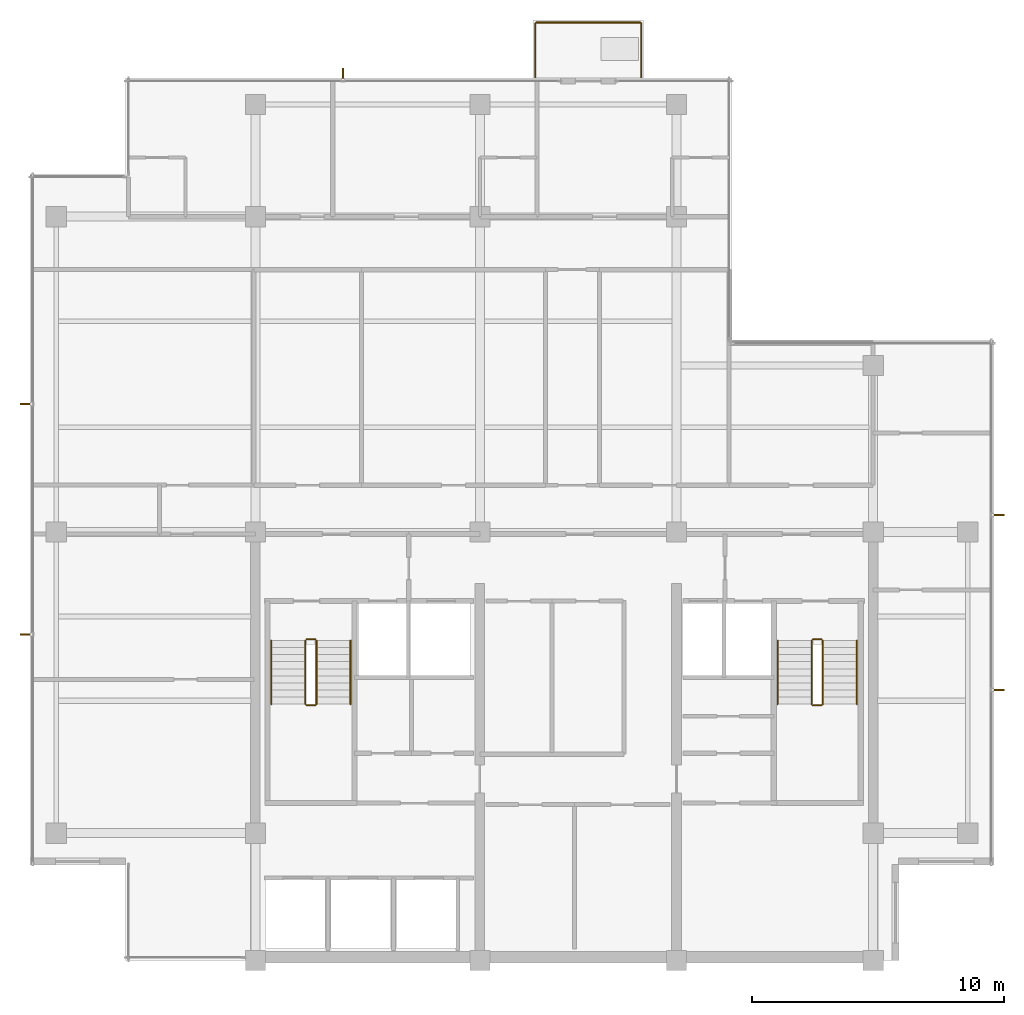
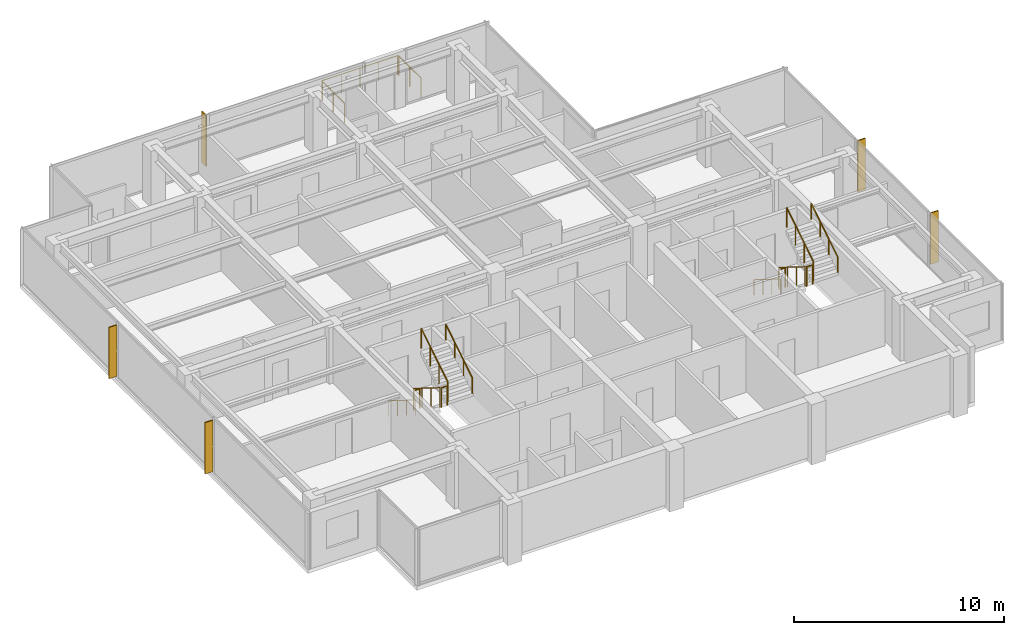
# One storey, part 11 of 11: 15 railings, 5 shading devices.
"""IFC4 building model written with IfcOpenShell, lengths in metres."""

import ifcopenshell
import ifcopenshell.guid

model = None  # the IFC model being written
_history = None  # IfcOwnerHistory: only IFC2X3 demands one
_inside = {}  # id of a spatial element -> (the spatial element, [elements in it])
_under = {}  # id of a project, library or spatial element -> (it, [spatial elements below it])
_declared = {}  # id of a project -> (the project, [libraries it declares])
_typed = {}  # id of a type object -> (the type object, [elements of that type])
_made_of = {}  # id of a material, layer set ... -> (it, [elements and type objects made of it])


def new_model(schema):
    """Start an empty IFC model of exactly this schema.

    Asked for "IFC4X3", IfcOpenShell would pick the latest addendum, in which some entities
    have other attributes; the version numbers below select the first issue.
    IFC2X3 requires an IfcOwnerHistory on every rooted entity: one is made here for all.
    """
    global model, _history
    if schema == "IFC4X3":
        model = ifcopenshell.file(schema_version=(4, 3, 0, 0))
    else:
        model = ifcopenshell.file(schema=schema)
    _inside.clear()
    _under.clear()
    _declared.clear()
    _typed.clear()
    _made_of.clear()
    _history = None
    if model.schema == "IFC2X3":
        org = make("IfcOrganization", Name="unknown")
        user = make(
            "IfcPersonAndOrganization",
            ThePerson=make("IfcPerson", FamilyName="unknown"),
            TheOrganization=org,
        )
        app = make(
            "IfcApplication",
            ApplicationDeveloper=org,
            Version="unknown",
            ApplicationFullName="unknown",
            ApplicationIdentifier="unknown",
        )
        _history = make(
            "IfcOwnerHistory",
            OwningUser=user,
            OwningApplication=app,
            ChangeAction="ADDED",
            CreationDate=0,
        )
    return model


def make(cls, **values):
    """One entity of the class cls with the attributes given. An attribute that is None is left unset."""
    return model.create_entity(
        cls, **{name: value for name, value in values.items() if value is not None}
    )


def rooted(cls, **values):
    """An entity with a GlobalId (a new one), such as an element, a storey or a relation."""
    return make(cls, GlobalId=ifcopenshell.guid.new(), OwnerHistory=_history, **values)


def si_unit(unit_type, name, prefix=None):
    """IfcSIUnit, for example si_unit("LENGTHUNIT", "METRE", prefix="MILLI")."""
    return make("IfcSIUnit", UnitType=unit_type, Prefix=prefix, Name=name)


def assignment(units):
    """IfcUnitAssignment: the units of a project."""
    return None if units is None else make("IfcUnitAssignment", Units=units)


def point(xyz):
    """IfcCartesianPoint."""
    return None if xyz is None else make("IfcCartesianPoint", Coordinates=xyz)


def direction(xyz):
    """IfcDirection."""
    return None if xyz is None else make("IfcDirection", DirectionRatios=xyz)


def frame(location, z_axis=None, x_axis=None):
    """IfcAxis2Placement3D, a coordinate frame: its origin and axes. An axis left out is left unset."""
    return make(
        "IfcAxis2Placement3D",
        Location=point(location),
        Axis=direction(z_axis),
        RefDirection=direction(x_axis),
    )


def frame_2d(location, x_axis=None):
    """IfcAxis2Placement2D, a coordinate frame in the plane: its origin and x axis."""
    return make(
        "IfcAxis2Placement2D", Location=point(location), RefDirection=direction(x_axis)
    )


def origin():
    """The frame at (0, 0, 0) with its axes left unset."""
    return frame((0.0, 0.0, 0.0))


def origin_2d():
    """The frame at (0, 0) in the plane with its x axis left unset."""
    return frame_2d((0.0, 0.0))


def place(relative_to, where):
    """IfcLocalPlacement: puts the frame where relative to a parent placement (None: the world)."""
    return make(
        "IfcLocalPlacement", PlacementRelTo=relative_to, RelativePlacement=where
    )


def context(
    kind, dimensions, precision=None, world=None, true_north=None, identifier=None
):
    """IfcGeometricRepresentationContext, for example the 3D "Model" context."""
    return make(
        "IfcGeometricRepresentationContext",
        ContextIdentifier=identifier,
        ContextType=kind,
        CoordinateSpaceDimension=dimensions,
        Precision=precision,
        WorldCoordinateSystem=world,
        TrueNorth=true_north,
    )


def subcontext(parent, identifier, kind, view, scale=None):
    """IfcGeometricRepresentationSubContext, for example "Body" below "Model"."""
    return make(
        "IfcGeometricRepresentationSubContext",
        ContextIdentifier=identifier,
        ContextType=kind,
        ParentContext=parent,
        TargetScale=scale,
        TargetView=view,
    )


def project(units=None, contexts=None):
    """IfcProject with its units and contexts."""
    return rooted(
        "IfcProject",
        Name="project",
        RepresentationContexts=contexts,
        UnitsInContext=assignment(units),
    )


def spatial(cls, under=None, at=None, **own):
    """A site, building, storey or space (cls), placed at a placement, below another one or the project."""
    s = rooted(cls, ObjectPlacement=at, **own)
    if under is not None:
        _under.setdefault(under.id(), (under, []))[1].append(s)
    return s


def polyline(points):
    """IfcPolyline through the points."""
    return make("IfcPolyline", Points=[point(p) for p in points])


def profile(cls, at=None, kind="AREA", **sizes):
    """A parametric profile (cls). Its sizes go by their IFC names, for example OverallWidth=200.0."""
    return make(cls, ProfileType=kind, Position=at, **sizes)


def circle(**sizes):
    """IfcCircleProfileDef."""
    return profile("IfcCircleProfileDef", **sizes)


def outline(outer, holes=None, kind="AREA"):
    """IfcArbitraryClosedProfileDef: a profile drawn as a closed curve; with holes, ...WithVoids."""
    if holes is None:
        return make("IfcArbitraryClosedProfileDef", ProfileType=kind, OuterCurve=outer)
    return make(
        "IfcArbitraryProfileDefWithVoids",
        ProfileType=kind,
        OuterCurve=outer,
        InnerCurves=holes,
    )


def extrude(swept, where, along, depth):
    """IfcExtrudedAreaSolid: the profile swept, set in the frame where, extruded along a direction by depth."""
    return make(
        "IfcExtrudedAreaSolid",
        SweptArea=swept,
        Position=where,
        ExtrudedDirection=direction(along),
        Depth=depth,
    )


def shape(context_of_items, identifier, shape_type, items):
    """IfcShapeRepresentation: the items that make up one representation, for example the "Body"."""
    return make(
        "IfcShapeRepresentation",
        ContextOfItems=context_of_items,
        RepresentationIdentifier=identifier,
        RepresentationType=shape_type,
        Items=items,
    )


def material(Name=None, Category=None):
    """IfcMaterial."""
    return make("IfcMaterial", Name=Name, Category=Category)


def layer(
    of_material, thickness, ventilated=None, Name=None, Category=None, Priority=None
):
    """IfcMaterialLayer: one layer of a wall or slab, of a material (None: an air gap)."""
    return make(
        "IfcMaterialLayer",
        Material=of_material,
        LayerThickness=thickness,
        IsVentilated=ventilated,
        Name=Name,
        Category=Category,
        Priority=Priority,
    )


def layer_set(layers, Name=None):
    """IfcMaterialLayerSet."""
    return make("IfcMaterialLayerSet", MaterialLayers=layers, LayerSetName=Name)


def made_of(thing, what):
    """Note that an element or type object is made of a material, layer set ...; save() writes the relation."""
    if what is not None:
        _made_of.setdefault(what.id(), (what, []))[1].append(thing)
    return thing


def type_object(cls, material=None, **own):
    """A type object (cls), such as IfcWallType, which elements share."""
    return made_of(rooted(cls, **own), material)


def element(
    cls,
    number,
    at=None,
    inside=None,
    cuts=None,
    type_object=None,
    material=None,
    context=None,
    identifier="Body",
    shape_type=None,
    held_by="IfcProductDefinitionShape",
    body=None,
    shapes=None,
    **own,
):
    """One element of the class cls, such as IfcWall. Its Tag is "e" and its number.

    at: its placement. inside: the storey or other place that contains it. cuts: it is an
    opening in that element (IfcRelVoidsElement). A single representation is given by context,
    identifier, shape_type and body (its items); several are given by shapes. held_by: the class
    of the entity that holds the representations. save() writes the other relations.
    """
    e = rooted(cls, Tag="e%d" % number, ObjectPlacement=at, **own)
    if body is not None:
        shapes = [shape(context, identifier, shape_type, body)]
    if shapes is not None:
        e.Representation = make(held_by, Representations=shapes)
    if inside is not None:
        _inside.setdefault(inside.id(), (inside, []))[1].append(e)
    if cuts is not None:
        rooted(
            "IfcRelVoidsElement", RelatingBuildingElement=cuts, RelatedOpeningElement=e
        )
    if type_object is not None:
        _typed.setdefault(type_object.id(), (type_object, []))[1].append(e)
    return made_of(e, material)


def aggregate(whole, parts):
    """IfcRelAggregates: a whole, such as a stair, and the parts it consists of."""
    return rooted("IfcRelAggregates", RelatingObject=whole, RelatedObjects=parts)


def save(model, path):
    """Write the relations noted so far, then the file.

    IfcRelAggregates (storeys below a building ...), IfcRelContainedInSpatialStructure (elements
    in a storey), IfcRelDefinesByType, IfcRelAssociatesMaterial and IfcRelDeclares: one each for
    every whole, place, type object, material and project.
    """
    for whole, parts in _under.values():
        aggregate(whole, parts)
    for where, things in _inside.values():
        rooted(
            "IfcRelContainedInSpatialStructure",
            RelatedElements=things,
            RelatingStructure=where,
        )
    for kind, things in _typed.values():
        rooted("IfcRelDefinesByType", RelatedObjects=things, RelatingType=kind)
    for what, things in _made_of.values():
        rooted("IfcRelAssociatesMaterial", RelatedObjects=things, RelatingMaterial=what)
    for by, libraries in _declared.values():
        rooted("IfcRelDeclares", RelatingContext=by, RelatedDefinitions=libraries)
    model.write(path)


model = new_model("IFC4")

# Units and contexts
model_context = context("Model", 3, precision=1e-05, world=origin(), true_north=direction((0.0, 1.0)))
body_context = subcontext(model_context, "Body", "Model", "MODEL_VIEW")
ifc_project = project(units=[si_unit("LENGTHUNIT", "METRE"), si_unit("AREAUNIT", "SQUARE_METRE"), si_unit("VOLUMEUNIT", "CUBIC_METRE"), si_unit("PLANEANGLEUNIT", "RADIAN"), si_unit("MASSUNIT", "GRAM", prefix="KILO")], contexts=[model_context])

# Site, building, storey
site_placement = place(None, origin())
site = spatial("IfcSite", under=ifc_project, at=site_placement, CompositionType="ELEMENT")
building_placement = place(site_placement, origin())
building = spatial("IfcBuilding", under=site, at=building_placement, Name="Qalmaran Belvedere Hotel", CompositionType="ELEMENT")
storey_placement = place(building_placement, frame((0.0, 0.0, 242.39990234375)))
storey = spatial("IfcBuildingStorey", under=building, at=storey_placement, Name="L62", CompositionType="ELEMENT", Elevation=242.39990234375)

# Shading devices
ifc_material_1 = material(Name="Anodised Bronze Aluminium", Category="aluminium")
ifc_layer = layer(ifc_material_1, 0.06494140625, Name="Anodised Bronze Aluminium")
ifc_layer_set = layer_set([ifc_layer], Name="Anodised Bronze Aluminium")
shading_device_type = type_object("IfcShadingDeviceType", Name="FIN-BRNZ-420", PredefinedType="USERDEFINED", material=ifc_layer_set)
shading_device_1_placement = place(storey_placement, frame((0.0, 0.0, 0.16015625)))
element("IfcShadingDevice", 1, at=shading_device_1_placement, inside=storey, type_object=shading_device_type, Name="L62 Bronze Fin 1", ObjectType="FIN", PredefinedType="USERDEFINED", context=body_context, shape_type="SweptSolid", body=[
    extrude(outline(polyline([(49.5673828125, 14.20068359375), (49.987548828125, 14.20068359375), (49.987548828125, 14.265869140625), (49.5673828125, 14.265869140625), (49.5673828125, 14.20068359375)])), origin(), (0.0, 0.0, 1.0), 2.97998046875),
])
shading_device_2_placement = place(storey_placement, frame((0.0, 0.0, 0.16015625)))
element("IfcShadingDevice", 2, at=shading_device_2_placement, inside=storey, type_object=shading_device_type, Name="L62 Bronze Fin 2", ObjectType="FIN", PredefinedType="USERDEFINED", context=body_context, shape_type="SweptSolid", body=[
    extrude(outline(polyline([(49.5673828125, 21.13427734375), (49.987548828125, 21.13427734375), (49.987548828125, 21.19921875), (49.5673828125, 21.19921875), (49.5673828125, 21.13427734375)])), origin(), (0.0, 0.0, 1.0), 2.97998046875),
])
shading_device_3_placement = place(storey_placement, frame((0.0, 0.0, 0.16015625)))
element("IfcShadingDevice", 3, at=shading_device_3_placement, inside=storey, type_object=shading_device_type, Name="L62 Bronze Fin 1", ObjectType="FIN", PredefinedType="USERDEFINED", context=body_context, shape_type="SweptSolid", body=[
    extrude(outline(polyline([(23.8076171875, 38.467529296875), (23.8076171875, 38.887451171875), (23.742431640625, 38.887451171875), (23.742431640625, 38.467529296875), (23.8076171875, 38.467529296875)])), origin(), (0.0, 0.0, 1.0), 2.97998046875),
])
shading_device_4_placement = place(storey_placement, frame((0.0, 0.0, 0.16015625)))
element("IfcShadingDevice", 4, at=shading_device_4_placement, inside=storey, type_object=shading_device_type, Name="L62 Bronze Fin 1", ObjectType="FIN", PredefinedType="USERDEFINED", context=body_context, shape_type="SweptSolid", body=[
    extrude(outline(polyline([(11.382568359375, 25.59912109375), (10.96240234375, 25.59912109375), (10.96240234375, 25.5341796875), (11.382568359375, 25.5341796875), (11.382568359375, 25.59912109375)])), origin(), (0.0, 0.0, 1.0), 2.97998046875),
])
shading_device_5_placement = place(storey_placement, frame((0.0, 0.0, 0.16015625)))
element("IfcShadingDevice", 5, at=shading_device_5_placement, inside=storey, type_object=shading_device_type, Name="L62 Bronze Fin 2", ObjectType="FIN", PredefinedType="USERDEFINED", context=body_context, shape_type="SweptSolid", body=[
    extrude(outline(polyline([(11.382568359375, 16.4658203125), (10.96240234375, 16.4658203125), (10.96240234375, 16.40087890625), (11.382568359375, 16.40087890625), (11.382568359375, 16.4658203125)])), origin(), (0.0, 0.0, 1.0), 2.97998046875),
])

# Railings
railing_type_1 = type_object("IfcRailingType", Name="GRD-BAL-1150", PredefinedType="BALUSTRADE", material=ifc_material_1)
railing_1_placement = place(storey_placement, frame((31.39990234375, 38.534912109375, 0.0)))
element("IfcRailing", 6, at=railing_1_placement, inside=storey, type_object=railing_type_1, Name="L62 Guardrail BAL-L62-N-1", PredefinedType="BALUSTRADE", context=body_context, shape_type="SweptSolid", body=[
    extrude(circle(Radius=0.02392578125, at=origin_2d()), frame((0.0, 0.0, 1.1259765625), z_axis=(0.0, 1.0, 0.0), x_axis=(-1.0, 0.0, 0.0)), (0.0, 0.0, 1.0), 2.130126953125),
    extrude(circle(Radius=0.02099609375, at=origin_2d()), origin(), (0.0, 0.0, 1.0), 1.101806640625),
    extrude(circle(Radius=0.02099609375, at=origin_2d()), frame((0.0, 1.06494140625, 0.0)), (0.0, 0.0, 1.0), 1.101806640625),
    extrude(circle(Radius=0.02099609375, at=origin_2d()), frame((0.0, 2.130126953125, 0.0)), (0.0, 0.0, 1.0), 1.101806640625),
])
railing_2_placement = place(storey_placement, frame((31.43505859375, 40.699951171875, 0.0)))
element("IfcRailing", 7, at=railing_2_placement, inside=storey, type_object=railing_type_1, Name="L62 Guardrail BAL-L62-N-2", PredefinedType="BALUSTRADE", context=body_context, shape_type="SweptSolid", body=[
    extrude(circle(Radius=0.02392578125, at=origin_2d()), frame((0.0, 0.0, 1.1259765625), z_axis=(1.0, 0.0, 0.0), x_axis=(0.0, 1.0, 0.0)), (0.0, 0.0, 1.0), 4.1298828125),
    extrude(circle(Radius=0.02099609375, at=origin_2d()), origin(), (0.0, 0.0, 1.0), 1.101806640625),
    extrude(circle(Radius=0.02099609375, at=origin_2d()), frame((1.032470703125, 0.0, 0.0)), (0.0, 0.0, 1.0), 1.101806640625),
    extrude(circle(Radius=0.02099609375, at=origin_2d()), frame((2.06494140625, 0.0, 0.0)), (0.0, 0.0, 1.0), 1.101806640625),
    extrude(circle(Radius=0.02099609375, at=origin_2d()), frame((3.097412109375, 0.0, 0.0)), (0.0, 0.0, 1.0), 1.101806640625),
    extrude(circle(Radius=0.02099609375, at=origin_2d()), frame((4.1298828125, 0.0, 0.0)), (0.0, 0.0, 1.0), 1.101806640625),
])
railing_3_placement = place(storey_placement, frame((35.60009765625, 40.6650390625, 0.0)))
element("IfcRailing", 8, at=railing_3_placement, inside=storey, type_object=railing_type_1, Name="L62 Guardrail BAL-L62-N-3", PredefinedType="BALUSTRADE", context=body_context, shape_type="SweptSolid", body=[
    extrude(circle(Radius=0.02392578125, at=origin_2d()), frame((0.0, 0.0, 1.1259765625), z_axis=(0.0, -1.0, 0.0), x_axis=(1.0, 0.0, 0.0)), (0.0, 0.0, 1.0), 2.130126953125),
    extrude(circle(Radius=0.02099609375, at=origin_2d()), origin(), (0.0, 0.0, 1.0), 1.101806640625),
    extrude(circle(Radius=0.02099609375, at=origin_2d()), frame((0.0, -1.06494140625, 0.0)), (0.0, 0.0, 1.0), 1.101806640625),
    extrude(circle(Radius=0.02099609375, at=origin_2d()), frame((0.0, -2.130126953125, 0.0)), (0.0, 0.0, 1.0), 1.101806640625),
])
ifc_material_2 = material(Name="Stainless Steel 1.4401", Category="steel")
railing_type_2 = type_object("IfcRailingType", Name="RLG-STAIR-GUARD-1150", PredefinedType="GUARDRAIL", material=ifc_material_2)
railing_4_placement = place(storey_placement, frame((22.280029296875, 16.18994140625, 0.175048828125)))
element("IfcRailing", 9, at=railing_4_placement, inside=storey, type_object=railing_type_2, Name="L62 ST-1 stair guard 1", PredefinedType="GUARDRAIL", context=body_context, shape_type="SweptSolid", body=[
    extrude(circle(Radius=0.02392578125, at=origin_2d()), frame((0.0, 0.0, 1.1259765625), z_axis=(0.0, -0.848007534815, 0.529984170421), x_axis=(1.0, 0.0, 0.0)), (0.0, 0.0, 1.0), 2.9716796875),
    extrude(circle(Radius=0.02099609375, at=origin_2d()), origin(), (0.0, 0.0, 1.0), 1.101806640625),
    extrude(circle(Radius=0.02099609375, at=origin_2d()), frame((0.0, -0.840087890625, 0.52490234375)), (0.0, 0.0, 1.0), 1.101806640625),
    extrude(circle(Radius=0.02099609375, at=origin_2d()), frame((0.0, -1.679931640625, 1.050048828125)), (0.0, 0.0, 1.0), 1.101806640625),
    extrude(circle(Radius=0.02099609375, at=origin_2d()), frame((0.0, -2.52001953125, 1.574951171875)), (0.0, 0.0, 1.0), 1.101806640625),
])
railing_5_placement = place(storey_placement, frame((22.330078125, 13.6201171875, 1.75)))
element("IfcRailing", 10, at=railing_5_placement, inside=storey, type_object=railing_type_2, Name="L62 ST-1 stair guard 2", PredefinedType="GUARDRAIL", context=body_context, shape_type="SweptSolid", body=[
    extrude(circle(Radius=0.02392578125, at=origin_2d()), frame((0.0, 0.0, 1.1259765625), z_axis=(1.0, 0.0, 0.0), x_axis=(0.0, 1.0, 0.0)), (0.0, 0.0, 1.0), 0.33984375),
    extrude(circle(Radius=0.02099609375, at=origin_2d()), origin(), (0.0, 0.0, 1.0), 1.101806640625),
    extrude(circle(Radius=0.02099609375, at=origin_2d()), frame((0.33984375, 0.0, 0.0)), (0.0, 0.0, 1.0), 1.101806640625),
])
railing_6_placement = place(storey_placement, frame((22.719970703125, 13.669921875, 1.925048828125)))
element("IfcRailing", 11, at=railing_6_placement, inside=storey, type_object=railing_type_2, Name="L62 ST-1 stair guard 3", PredefinedType="GUARDRAIL", context=body_context, shape_type="SweptSolid", body=[
    extrude(circle(Radius=0.02392578125, at=origin_2d()), frame((0.0, 0.0, 1.1259765625), z_axis=(0.0, 0.848007534815, 0.529984170421), x_axis=(-1.0, 0.0, 0.0)), (0.0, 0.0, 1.0), 2.9716796875),
    extrude(circle(Radius=0.02099609375, at=origin_2d()), origin(), (0.0, 0.0, 1.0), 1.101806640625),
    extrude(circle(Radius=0.02099609375, at=origin_2d()), frame((0.0, 0.840087890625, 0.52490234375)), (0.0, 0.0, 1.0), 1.101806640625),
    extrude(circle(Radius=0.02099609375, at=origin_2d()), frame((0.0, 1.679931640625, 1.050048828125)), (0.0, 0.0, 1.0), 1.101806640625),
    extrude(circle(Radius=0.02099609375, at=origin_2d()), frame((0.0, 2.52001953125, 1.574951171875)), (0.0, 0.0, 1.0), 1.101806640625),
])
railing_7_placement = place(storey_placement, frame((22.330078125, 16.239990234375, 0.0)))
element("IfcRailing", 12, at=railing_7_placement, inside=storey, type_object=railing_type_2, Name="L62 ST-1 stair guard 4", PredefinedType="GUARDRAIL", context=body_context, shape_type="SweptSolid", body=[
    extrude(circle(Radius=0.02392578125, at=origin_2d()), frame((0.0, 0.0, 1.1259765625), z_axis=(1.0, 0.0, 0.0), x_axis=(0.0, 1.0, 0.0)), (0.0, 0.0, 1.0), 0.33984375),
    extrude(circle(Radius=0.02099609375, at=origin_2d()), origin(), (0.0, 0.0, 1.0), 1.101806640625),
    extrude(circle(Radius=0.02099609375, at=origin_2d()), frame((0.33984375, 0.0, 0.0)), (0.0, 0.0, 1.0), 1.101806640625),
])
railing_8_placement = place(storey_placement, frame((42.360107421875, 16.18994140625, 0.175048828125)))
element("IfcRailing", 13, at=railing_8_placement, inside=storey, type_object=railing_type_2, Name="L62 ST-2 stair guard 1", PredefinedType="GUARDRAIL", context=body_context, shape_type="SweptSolid", body=[
    extrude(circle(Radius=0.02392578125, at=origin_2d()), frame((0.0, 0.0, 1.1259765625), z_axis=(0.0, -0.848007534815, 0.529984170421), x_axis=(1.0, 0.0, 0.0)), (0.0, 0.0, 1.0), 2.9716796875),
    extrude(circle(Radius=0.02099609375, at=origin_2d()), origin(), (0.0, 0.0, 1.0), 1.101806640625),
    extrude(circle(Radius=0.02099609375, at=origin_2d()), frame((0.0, -0.840087890625, 0.52490234375)), (0.0, 0.0, 1.0), 1.101806640625),
    extrude(circle(Radius=0.02099609375, at=origin_2d()), frame((0.0, -1.679931640625, 1.050048828125)), (0.0, 0.0, 1.0), 1.101806640625),
    extrude(circle(Radius=0.02099609375, at=origin_2d()), frame((0.0, -2.52001953125, 1.574951171875)), (0.0, 0.0, 1.0), 1.101806640625),
])
railing_9_placement = place(storey_placement, frame((42.409912109375, 13.6201171875, 1.75)))
element("IfcRailing", 14, at=railing_9_placement, inside=storey, type_object=railing_type_2, Name="L62 ST-2 stair guard 2", PredefinedType="GUARDRAIL", context=body_context, shape_type="SweptSolid", body=[
    extrude(circle(Radius=0.02392578125, at=origin_2d()), frame((0.0, 0.0, 1.1259765625), z_axis=(1.0, 0.0, 0.0), x_axis=(0.0, 1.0, 0.0)), (0.0, 0.0, 1.0), 0.340087890625),
    extrude(circle(Radius=0.02099609375, at=origin_2d()), origin(), (0.0, 0.0, 1.0), 1.101806640625),
    extrude(circle(Radius=0.02099609375, at=origin_2d()), frame((0.340087890625, 0.0, 0.0)), (0.0, 0.0, 1.0), 1.101806640625),
])
railing_10_placement = place(storey_placement, frame((42.800048828125, 13.669921875, 1.925048828125)))
element("IfcRailing", 15, at=railing_10_placement, inside=storey, type_object=railing_type_2, Name="L62 ST-2 stair guard 3", PredefinedType="GUARDRAIL", context=body_context, shape_type="SweptSolid", body=[
    extrude(circle(Radius=0.02392578125, at=origin_2d()), frame((0.0, 0.0, 1.1259765625), z_axis=(0.0, 0.848007534815, 0.529984170421), x_axis=(-1.0, 0.0, 0.0)), (0.0, 0.0, 1.0), 2.9716796875),
    extrude(circle(Radius=0.02099609375, at=origin_2d()), origin(), (0.0, 0.0, 1.0), 1.101806640625),
    extrude(circle(Radius=0.02099609375, at=origin_2d()), frame((0.0, 0.840087890625, 0.52490234375)), (0.0, 0.0, 1.0), 1.101806640625),
    extrude(circle(Radius=0.02099609375, at=origin_2d()), frame((0.0, 1.679931640625, 1.050048828125)), (0.0, 0.0, 1.0), 1.101806640625),
    extrude(circle(Radius=0.02099609375, at=origin_2d()), frame((0.0, 2.52001953125, 1.574951171875)), (0.0, 0.0, 1.0), 1.101806640625),
])
railing_11_placement = place(storey_placement, frame((42.409912109375, 16.239990234375, 0.0)))
element("IfcRailing", 16, at=railing_11_placement, inside=storey, type_object=railing_type_2, Name="L62 ST-2 stair guard 4", PredefinedType="GUARDRAIL", context=body_context, shape_type="SweptSolid", body=[
    extrude(circle(Radius=0.02392578125, at=origin_2d()), frame((0.0, 0.0, 1.1259765625), z_axis=(1.0, 0.0, 0.0), x_axis=(0.0, 1.0, 0.0)), (0.0, 0.0, 1.0), 0.340087890625),
    extrude(circle(Radius=0.02099609375, at=origin_2d()), origin(), (0.0, 0.0, 1.0), 1.101806640625),
    extrude(circle(Radius=0.02099609375, at=origin_2d()), frame((0.340087890625, 0.0, 0.0)), (0.0, 0.0, 1.0), 1.101806640625),
])
railing_type_3 = type_object("IfcRailingType", Name="RLG-STAIR-HAND-910", PredefinedType="HANDRAIL", material=ifc_material_2)
railing_12_placement = place(storey_placement, frame((20.929931640625, 16.18994140625, 0.175048828125)))
element("IfcRailing", 17, at=railing_12_placement, inside=storey, type_object=railing_type_3, Name="L62 ST-1 stair handrail 1", PredefinedType="HANDRAIL", context=body_context, shape_type="SweptSolid", body=[
    extrude(circle(Radius=0.02392578125, at=origin_2d()), frame((0.0, 0.0, 0.8857421875), z_axis=(0.0, -0.848007534815, 0.529984170421), x_axis=(1.0, 0.0, 0.0)), (0.0, 0.0, 1.0), 2.9716796875),
    extrude(circle(Radius=0.02099609375, at=origin_2d()), origin(), (0.0, 0.0, 1.0), 0.86181640625),
    extrude(circle(Radius=0.02099609375, at=origin_2d()), frame((0.0, -0.840087890625, 0.52490234375)), (0.0, 0.0, 1.0), 0.86181640625),
    extrude(circle(Radius=0.02099609375, at=origin_2d()), frame((0.0, -1.679931640625, 1.050048828125)), (0.0, 0.0, 1.0), 0.86181640625),
    extrude(circle(Radius=0.02099609375, at=origin_2d()), frame((0.0, -2.52001953125, 1.574951171875)), (0.0, 0.0, 1.0), 0.86181640625),
])
railing_13_placement = place(storey_placement, frame((24.070068359375, 13.669921875, 1.925048828125)))
element("IfcRailing", 18, at=railing_13_placement, inside=storey, type_object=railing_type_3, Name="L62 ST-1 stair handrail 2", PredefinedType="HANDRAIL", context=body_context, shape_type="SweptSolid", body=[
    extrude(circle(Radius=0.02392578125, at=origin_2d()), frame((0.0, 0.0, 0.8857421875), z_axis=(0.0, 0.848007534815, 0.529984170421), x_axis=(-1.0, 0.0, 0.0)), (0.0, 0.0, 1.0), 2.9716796875),
    extrude(circle(Radius=0.02099609375, at=origin_2d()), origin(), (0.0, 0.0, 1.0), 0.86181640625),
    extrude(circle(Radius=0.02099609375, at=origin_2d()), frame((0.0, 0.840087890625, 0.52490234375)), (0.0, 0.0, 1.0), 0.86181640625),
    extrude(circle(Radius=0.02099609375, at=origin_2d()), frame((0.0, 1.679931640625, 1.050048828125)), (0.0, 0.0, 1.0), 0.86181640625),
    extrude(circle(Radius=0.02099609375, at=origin_2d()), frame((0.0, 2.52001953125, 1.574951171875)), (0.0, 0.0, 1.0), 0.86181640625),
])
railing_14_placement = place(storey_placement, frame((41.010009765625, 16.18994140625, 0.175048828125)))
element("IfcRailing", 19, at=railing_14_placement, inside=storey, type_object=railing_type_3, Name="L62 ST-2 stair handrail 1", PredefinedType="HANDRAIL", context=body_context, shape_type="SweptSolid", body=[
    extrude(circle(Radius=0.02392578125, at=origin_2d()), frame((0.0, 0.0, 0.8857421875), z_axis=(0.0, -0.848007534815, 0.529984170421), x_axis=(1.0, 0.0, 0.0)), (0.0, 0.0, 1.0), 2.9716796875),
    extrude(circle(Radius=0.02099609375, at=origin_2d()), origin(), (0.0, 0.0, 1.0), 0.86181640625),
    extrude(circle(Radius=0.02099609375, at=origin_2d()), frame((0.0, -0.840087890625, 0.52490234375)), (0.0, 0.0, 1.0), 0.86181640625),
    extrude(circle(Radius=0.02099609375, at=origin_2d()), frame((0.0, -1.679931640625, 1.050048828125)), (0.0, 0.0, 1.0), 0.86181640625),
    extrude(circle(Radius=0.02099609375, at=origin_2d()), frame((0.0, -2.52001953125, 1.574951171875)), (0.0, 0.0, 1.0), 0.86181640625),
])
railing_15_placement = place(storey_placement, frame((44.14990234375, 13.669921875, 1.925048828125)))
element("IfcRailing", 20, at=railing_15_placement, inside=storey, type_object=railing_type_3, Name="L62 ST-2 stair handrail 2", PredefinedType="HANDRAIL", context=body_context, shape_type="SweptSolid", body=[
    extrude(circle(Radius=0.02392578125, at=origin_2d()), frame((0.0, 0.0, 0.8857421875), z_axis=(0.0, 0.848007534815, 0.529984170421), x_axis=(-1.0, 0.0, 0.0)), (0.0, 0.0, 1.0), 2.9716796875),
    extrude(circle(Radius=0.02099609375, at=origin_2d()), origin(), (0.0, 0.0, 1.0), 0.86181640625),
    extrude(circle(Radius=0.02099609375, at=origin_2d()), frame((0.0, 0.840087890625, 0.52490234375)), (0.0, 0.0, 1.0), 0.86181640625),
    extrude(circle(Radius=0.02099609375, at=origin_2d()), frame((0.0, 1.679931640625, 1.050048828125)), (0.0, 0.0, 1.0), 0.86181640625),
    extrude(circle(Radius=0.02099609375, at=origin_2d()), frame((0.0, 2.52001953125, 1.574951171875)), (0.0, 0.0, 1.0), 0.86181640625),
])

save(model, "model.ifc")
